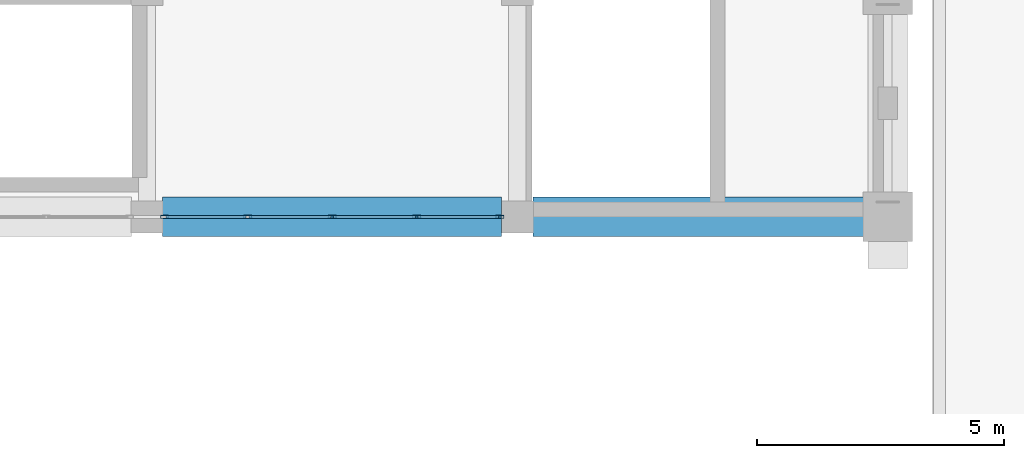
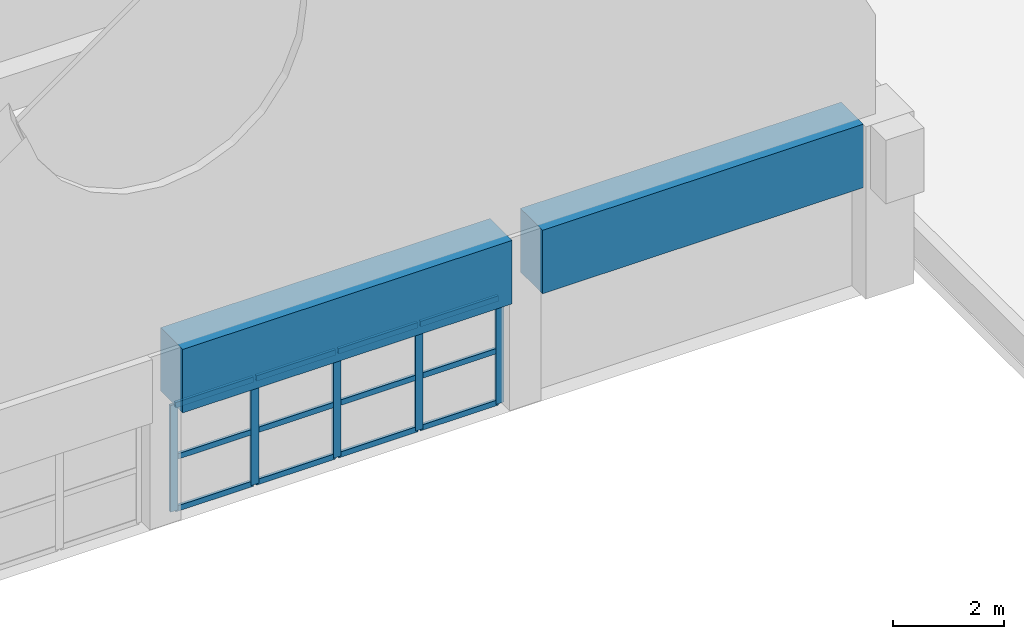
# One storey, part 25 of 74: 17 members, 2 beams, 1 element without a shape of its own.
"""IFC4 building model written with IfcOpenShell, lengths in metres."""

import ifcopenshell
import ifcopenshell.guid

model = None  # the IFC model being written
_history = None  # IfcOwnerHistory: only IFC2X3 demands one
_inside = {}  # id of a spatial element -> (the spatial element, [elements in it])
_under = {}  # id of a project, library or spatial element -> (it, [spatial elements below it])
_declared = {}  # id of a project -> (the project, [libraries it declares])
_typed = {}  # id of a type object -> (the type object, [elements of that type])
_made_of = {}  # id of a material, layer set ... -> (it, [elements and type objects made of it])


def new_model(schema):
    """Start an empty IFC model of exactly this schema.

    Asked for "IFC4X3", IfcOpenShell would pick the latest addendum, in which some entities
    have other attributes; the version numbers below select the first issue.
    IFC2X3 requires an IfcOwnerHistory on every rooted entity: one is made here for all.
    """
    global model, _history
    if schema == "IFC4X3":
        model = ifcopenshell.file(schema_version=(4, 3, 0, 0))
    else:
        model = ifcopenshell.file(schema=schema)
    _inside.clear()
    _under.clear()
    _declared.clear()
    _typed.clear()
    _made_of.clear()
    _history = None
    if model.schema == "IFC2X3":
        org = make("IfcOrganization", Name="unknown")
        user = make(
            "IfcPersonAndOrganization",
            ThePerson=make("IfcPerson", FamilyName="unknown"),
            TheOrganization=org,
        )
        app = make(
            "IfcApplication",
            ApplicationDeveloper=org,
            Version="unknown",
            ApplicationFullName="unknown",
            ApplicationIdentifier="unknown",
        )
        _history = make(
            "IfcOwnerHistory",
            OwningUser=user,
            OwningApplication=app,
            ChangeAction="ADDED",
            CreationDate=0,
        )
    return model


def make(cls, **values):
    """One entity of the class cls with the attributes given. An attribute that is None is left unset."""
    return model.create_entity(
        cls, **{name: value for name, value in values.items() if value is not None}
    )


def rooted(cls, **values):
    """An entity with a GlobalId (a new one), such as an element, a storey or a relation."""
    return make(cls, GlobalId=ifcopenshell.guid.new(), OwnerHistory=_history, **values)


def si_unit(unit_type, name, prefix=None):
    """IfcSIUnit, for example si_unit("LENGTHUNIT", "METRE", prefix="MILLI")."""
    return make("IfcSIUnit", UnitType=unit_type, Prefix=prefix, Name=name)


def assignment(units):
    """IfcUnitAssignment: the units of a project."""
    return None if units is None else make("IfcUnitAssignment", Units=units)


def point(xyz):
    """IfcCartesianPoint."""
    return None if xyz is None else make("IfcCartesianPoint", Coordinates=xyz)


def direction(xyz):
    """IfcDirection."""
    return None if xyz is None else make("IfcDirection", DirectionRatios=xyz)


def frame(location, z_axis=None, x_axis=None):
    """IfcAxis2Placement3D, a coordinate frame: its origin and axes. An axis left out is left unset."""
    return make(
        "IfcAxis2Placement3D",
        Location=point(location),
        Axis=direction(z_axis),
        RefDirection=direction(x_axis),
    )


def frame_2d(location, x_axis=None):
    """IfcAxis2Placement2D, a coordinate frame in the plane: its origin and x axis."""
    return make(
        "IfcAxis2Placement2D", Location=point(location), RefDirection=direction(x_axis)
    )


def origin():
    """The frame at (0, 0, 0) with its axes left unset."""
    return frame((0.0, 0.0, 0.0))


def origin_2d():
    """The frame at (0, 0) in the plane with its x axis left unset."""
    return frame_2d((0.0, 0.0))


def place(relative_to, where):
    """IfcLocalPlacement: puts the frame where relative to a parent placement (None: the world)."""
    return make(
        "IfcLocalPlacement", PlacementRelTo=relative_to, RelativePlacement=where
    )


def context(
    kind, dimensions, precision=None, world=None, true_north=None, identifier=None
):
    """IfcGeometricRepresentationContext, for example the 3D "Model" context."""
    return make(
        "IfcGeometricRepresentationContext",
        ContextIdentifier=identifier,
        ContextType=kind,
        CoordinateSpaceDimension=dimensions,
        Precision=precision,
        WorldCoordinateSystem=world,
        TrueNorth=true_north,
    )


def subcontext(parent, identifier, kind, view, scale=None):
    """IfcGeometricRepresentationSubContext, for example "Body" below "Model"."""
    return make(
        "IfcGeometricRepresentationSubContext",
        ContextIdentifier=identifier,
        ContextType=kind,
        ParentContext=parent,
        TargetScale=scale,
        TargetView=view,
    )


def project(units=None, contexts=None):
    """IfcProject with its units and contexts."""
    return rooted(
        "IfcProject",
        Name="project",
        RepresentationContexts=contexts,
        UnitsInContext=assignment(units),
    )


def spatial(cls, under=None, at=None, **own):
    """A site, building, storey or space (cls), placed at a placement, below another one or the project."""
    s = rooted(cls, ObjectPlacement=at, **own)
    if under is not None:
        _under.setdefault(under.id(), (under, []))[1].append(s)
    return s


def profile(cls, at=None, kind="AREA", **sizes):
    """A parametric profile (cls). Its sizes go by their IFC names, for example OverallWidth=200.0."""
    return make(cls, ProfileType=kind, Position=at, **sizes)


def rectangle(**sizes):
    """IfcRectangleProfileDef."""
    return profile("IfcRectangleProfileDef", **sizes)


def hollow_rectangle(**sizes):
    """IfcRectangleHollowProfileDef."""
    return profile("IfcRectangleHollowProfileDef", **sizes)


def extrude(swept, where, along, depth):
    """IfcExtrudedAreaSolid: the profile swept, set in the frame where, extruded along a direction by depth."""
    return make(
        "IfcExtrudedAreaSolid",
        SweptArea=swept,
        Position=where,
        ExtrudedDirection=direction(along),
        Depth=depth,
    )


def shape(context_of_items, identifier, shape_type, items):
    """IfcShapeRepresentation: the items that make up one representation, for example the "Body"."""
    return make(
        "IfcShapeRepresentation",
        ContextOfItems=context_of_items,
        RepresentationIdentifier=identifier,
        RepresentationType=shape_type,
        Items=items,
    )


def material(Name=None, Category=None):
    """IfcMaterial."""
    return make("IfcMaterial", Name=Name, Category=Category)


def layer(
    of_material, thickness, ventilated=None, Name=None, Category=None, Priority=None
):
    """IfcMaterialLayer: one layer of a wall or slab, of a material (None: an air gap)."""
    return make(
        "IfcMaterialLayer",
        Material=of_material,
        LayerThickness=thickness,
        IsVentilated=ventilated,
        Name=Name,
        Category=Category,
        Priority=Priority,
    )


def layer_set(layers, Name=None):
    """IfcMaterialLayerSet."""
    return make("IfcMaterialLayerSet", MaterialLayers=layers, LayerSetName=Name)


def material_profile(
    of_material, cross_section, Name=None, Category=None, Priority=None
):
    """IfcMaterialProfile: a cross section and its material."""
    return make(
        "IfcMaterialProfile",
        Name=Name,
        Material=of_material,
        Profile=cross_section,
        Priority=Priority,
        Category=Category,
    )


def profile_set(profiles, Name=None, composite=None):
    """IfcMaterialProfileSet."""
    return make(
        "IfcMaterialProfileSet",
        Name=Name,
        MaterialProfiles=profiles,
        CompositeProfile=composite,
    )


def made_of(thing, what):
    """Note that an element or type object is made of a material, layer set ...; save() writes the relation."""
    if what is not None:
        _made_of.setdefault(what.id(), (what, []))[1].append(thing)
    return thing


def type_object(cls, material=None, **own):
    """A type object (cls), such as IfcWallType, which elements share."""
    return made_of(rooted(cls, **own), material)


def element(
    cls,
    number,
    at=None,
    inside=None,
    cuts=None,
    type_object=None,
    material=None,
    context=None,
    identifier="Body",
    shape_type=None,
    held_by="IfcProductDefinitionShape",
    body=None,
    shapes=None,
    **own,
):
    """One element of the class cls, such as IfcWall. Its Tag is "e" and its number.

    at: its placement. inside: the storey or other place that contains it. cuts: it is an
    opening in that element (IfcRelVoidsElement). A single representation is given by context,
    identifier, shape_type and body (its items); several are given by shapes. held_by: the class
    of the entity that holds the representations. save() writes the other relations.
    """
    e = rooted(cls, Tag="e%d" % number, ObjectPlacement=at, **own)
    if body is not None:
        shapes = [shape(context, identifier, shape_type, body)]
    if shapes is not None:
        e.Representation = make(held_by, Representations=shapes)
    if inside is not None:
        _inside.setdefault(inside.id(), (inside, []))[1].append(e)
    if cuts is not None:
        rooted(
            "IfcRelVoidsElement", RelatingBuildingElement=cuts, RelatedOpeningElement=e
        )
    if type_object is not None:
        _typed.setdefault(type_object.id(), (type_object, []))[1].append(e)
    return made_of(e, material)


def aggregate(whole, parts):
    """IfcRelAggregates: a whole, such as a stair, and the parts it consists of."""
    return rooted("IfcRelAggregates", RelatingObject=whole, RelatedObjects=parts)


def save(model, path):
    """Write the relations noted so far, then the file.

    IfcRelAggregates (storeys below a building ...), IfcRelContainedInSpatialStructure (elements
    in a storey), IfcRelDefinesByType, IfcRelAssociatesMaterial and IfcRelDeclares: one each for
    every whole, place, type object, material and project.
    """
    for whole, parts in _under.values():
        aggregate(whole, parts)
    for where, things in _inside.values():
        rooted(
            "IfcRelContainedInSpatialStructure",
            RelatedElements=things,
            RelatingStructure=where,
        )
    for kind, things in _typed.values():
        rooted("IfcRelDefinesByType", RelatedObjects=things, RelatingType=kind)
    for what, things in _made_of.values():
        rooted("IfcRelAssociatesMaterial", RelatedObjects=things, RelatingMaterial=what)
    for by, libraries in _declared.values():
        rooted("IfcRelDeclares", RelatingContext=by, RelatedDefinitions=libraries)
    model.write(path)


model = new_model("IFC4")

# Units and contexts
model_context = context("Model", 3, precision=1e-05, world=origin(), true_north=direction((0.0, 1.0)))
body_context = subcontext(model_context, "Body", "Model", "MODEL_VIEW")
ifc_project = project(units=[si_unit("LENGTHUNIT", "METRE"), si_unit("AREAUNIT", "SQUARE_METRE"), si_unit("VOLUMEUNIT", "CUBIC_METRE"), si_unit("PLANEANGLEUNIT", "RADIAN"), si_unit("MASSUNIT", "GRAM", prefix="KILO")], contexts=[model_context])

# Site, building, storey
site_placement = place(None, origin())
site = spatial("IfcSite", under=ifc_project, at=site_placement, CompositionType="ELEMENT")
building_placement = place(site_placement, origin())
building = spatial("IfcBuilding", under=site, at=building_placement, Name="Muzn Square Opera House", CompositionType="ELEMENT")
storey_placement = place(building_placement, frame((0.0, 0.0, 14.199951171875)))
storey = spatial("IfcBuildingStorey", under=building, at=storey_placement, Name="L03", CompositionType="ELEMENT", Elevation=14.199951171875)

# Curtain wall, members
ifc_material_1 = material(Name="Low-E laminated acoustic double glazing", Category="glass")
ifc_layer = layer(ifc_material_1, 0.159912109375, Name="Low-E laminated acoustic double glazing", Category="glass")
ifc_layer_set = layer_set([ifc_layer], Name="Low-E laminated acoustic double glazing")
curtain_wall_type = type_object("IfcCurtainWallType", Name="Glazed Curtain Wall Forecourt 6850x2350", PredefinedType="USERDEFINED", material=ifc_layer_set)
curtain_wall_placement = place(storey_placement, origin())
curtain_wall = element("IfcCurtainWall", 1, at=curtain_wall_placement, inside=storey, type_object=curtain_wall_type, Name="Glazed Curtain Wall CW-L03-028", ObjectType="GLAZED CURTAIN WALL", PredefinedType="USERDEFINED")
ifc_material_2 = material(Name="Anodised bronze aluminium 6063-T6", Category="metal")
ifc_material_profile_1 = material_profile(ifc_material_2, hollow_rectangle(XDim=0.06005859375, YDim=0.159912109375, WallThickness=0.00390625, at=origin_2d()), Name="ALU 160x60x4", Category="metal")
ifc_profile_set_1 = profile_set([ifc_material_profile_1], Name="Anodised bronze aluminium 6063-T6")
member_type_1 = type_object("IfcMemberType", Name="Curtain Wall Mullion 160x60", PredefinedType="MULLION", material=ifc_profile_set_1)
member_1_placement = place(storey_placement, frame((118.35498046875, 22.0, 0.0), z_axis=(0.0, 0.0, 1.0), x_axis=(0.0, 1.0, 0.0)))
member_1 = element("IfcMember", 2, at=member_1_placement, type_object=member_type_1, Name="CW-FC-68x23 mullion 1", PredefinedType="MULLION", context=body_context, shape_type="SweptSolid", body=[
    extrude(hollow_rectangle(XDim=0.06005859375, YDim=0.159912109375, WallThickness=0.00390625, at=origin_2d()), origin(), (0.0, 0.0, 1.0), 2.35009765625),
])
member_2_placement = place(storey_placement, frame((120.03759765625, 22.0, 0.0), z_axis=(0.0, 0.0, 1.0), x_axis=(0.0, 1.0, 0.0)))
member_2 = element("IfcMember", 3, at=member_2_placement, type_object=member_type_1, Name="CW-FC-68x23 mullion 2", PredefinedType="MULLION", context=body_context, shape_type="SweptSolid", body=[
    extrude(hollow_rectangle(XDim=0.06005859375, YDim=0.159912109375, WallThickness=0.00390625, at=origin_2d()), origin(), (0.0, 0.0, 1.0), 2.35009765625),
])
member_3_placement = place(storey_placement, frame((121.75, 22.0, 0.0), z_axis=(0.0, 0.0, 1.0), x_axis=(0.0, 1.0, 0.0)))
member_3 = element("IfcMember", 4, at=member_3_placement, type_object=member_type_1, Name="CW-FC-68x23 mullion 3", PredefinedType="MULLION", context=body_context, shape_type="SweptSolid", body=[
    extrude(hollow_rectangle(XDim=0.06005859375, YDim=0.159912109375, WallThickness=0.00390625, at=origin_2d()), origin(), (0.0, 0.0, 1.0), 2.35009765625),
])
member_4_placement = place(storey_placement, frame((123.46240234375, 22.0, 0.0), z_axis=(0.0, 0.0, 1.0), x_axis=(0.0, 1.0, 0.0)))
member_4 = element("IfcMember", 5, at=member_4_placement, type_object=member_type_1, Name="CW-FC-68x23 mullion 4", PredefinedType="MULLION", context=body_context, shape_type="SweptSolid", body=[
    extrude(hollow_rectangle(XDim=0.06005859375, YDim=0.159912109375, WallThickness=0.00390625, at=origin_2d()), origin(), (0.0, 0.0, 1.0), 2.35009765625),
])
member_5_placement = place(storey_placement, frame((125.14501953125, 22.0, 0.0), z_axis=(0.0, 0.0, 1.0), x_axis=(0.0, 1.0, 0.0)))
member_5 = element("IfcMember", 6, at=member_5_placement, type_object=member_type_1, Name="CW-FC-68x23 mullion 5", PredefinedType="MULLION", context=body_context, shape_type="SweptSolid", body=[
    extrude(hollow_rectangle(XDim=0.06005859375, YDim=0.159912109375, WallThickness=0.00390625, at=origin_2d()), origin(), (0.0, 0.0, 1.0), 2.35009765625),
])
ifc_material_profile_2 = material_profile(ifc_material_2, hollow_rectangle(XDim=0.06005859375, YDim=0.1201171875, WallThickness=0.00390625, at=origin_2d()), Name="ALU 120x60x4", Category="metal")
ifc_profile_set_2 = profile_set([ifc_material_profile_2], Name="Anodised bronze aluminium 6063-T6")
member_type_2 = type_object("IfcMemberType", Name="Curtain Wall Transom 120x60", PredefinedType="USERDEFINED", material=ifc_profile_set_2)
member_6_placement = place(storey_placement, frame((118.385009765625, 22.0, 0.030029296875), z_axis=(1.0, 0.0, 0.0), x_axis=(0.0, 1.0, 0.0)))
member_6 = element("IfcMember", 7, at=member_6_placement, type_object=member_type_2, Name="CW-FC-68x23 transom 1.1", ObjectType="TRANSOM", PredefinedType="USERDEFINED", context=body_context, shape_type="SweptSolid", body=[
    extrude(hollow_rectangle(XDim=0.06005859375, YDim=0.1201171875, WallThickness=0.00390625, at=origin_2d()), origin(), (0.0, 0.0, 1.0), 1.62255859375),
])
member_7_placement = place(storey_placement, frame((118.385009765625, 22.0, 1.175048828125), z_axis=(1.0, 0.0, 0.0), x_axis=(0.0, 1.0, 0.0)))
member_7 = element("IfcMember", 8, at=member_7_placement, type_object=member_type_2, Name="CW-FC-68x23 transom 1.2", ObjectType="TRANSOM", PredefinedType="USERDEFINED", context=body_context, shape_type="SweptSolid", body=[
    extrude(hollow_rectangle(XDim=0.06005859375, YDim=0.1201171875, WallThickness=0.00390625, at=origin_2d()), origin(), (0.0, 0.0, 1.0), 1.62255859375),
])
member_8_placement = place(storey_placement, frame((118.385009765625, 22.0, 2.320068359375), z_axis=(1.0, 0.0, 0.0), x_axis=(0.0, 1.0, 0.0)))
member_8 = element("IfcMember", 9, at=member_8_placement, type_object=member_type_2, Name="CW-FC-68x23 transom 1.3", ObjectType="TRANSOM", PredefinedType="USERDEFINED", context=body_context, shape_type="SweptSolid", body=[
    extrude(hollow_rectangle(XDim=0.06005859375, YDim=0.1201171875, WallThickness=0.00390625, at=origin_2d()), origin(), (0.0, 0.0, 1.0), 1.62255859375),
])
member_9_placement = place(storey_placement, frame((120.0673828125, 22.0, 0.030029296875), z_axis=(1.0, 0.0, 0.0), x_axis=(0.0, 1.0, 0.0)))
member_9 = element("IfcMember", 10, at=member_9_placement, type_object=member_type_2, Name="CW-FC-68x23 transom 2.1", ObjectType="TRANSOM", PredefinedType="USERDEFINED", context=body_context, shape_type="SweptSolid", body=[
    extrude(hollow_rectangle(XDim=0.06005859375, YDim=0.1201171875, WallThickness=0.00390625, at=origin_2d()), origin(), (0.0, 0.0, 1.0), 1.652587890625),
])
member_10_placement = place(storey_placement, frame((120.0673828125, 22.0, 1.175048828125), z_axis=(1.0, 0.0, 0.0), x_axis=(0.0, 1.0, 0.0)))
member_10 = element("IfcMember", 11, at=member_10_placement, type_object=member_type_2, Name="CW-FC-68x23 transom 2.2", ObjectType="TRANSOM", PredefinedType="USERDEFINED", context=body_context, shape_type="SweptSolid", body=[
    extrude(hollow_rectangle(XDim=0.06005859375, YDim=0.1201171875, WallThickness=0.00390625, at=origin_2d()), origin(), (0.0, 0.0, 1.0), 1.652587890625),
])
member_11_placement = place(storey_placement, frame((120.0673828125, 22.0, 2.320068359375), z_axis=(1.0, 0.0, 0.0), x_axis=(0.0, 1.0, 0.0)))
member_11 = element("IfcMember", 12, at=member_11_placement, type_object=member_type_2, Name="CW-FC-68x23 transom 2.3", ObjectType="TRANSOM", PredefinedType="USERDEFINED", context=body_context, shape_type="SweptSolid", body=[
    extrude(hollow_rectangle(XDim=0.06005859375, YDim=0.1201171875, WallThickness=0.00390625, at=origin_2d()), origin(), (0.0, 0.0, 1.0), 1.652587890625),
])
member_12_placement = place(storey_placement, frame((121.780029296875, 22.0, 0.030029296875), z_axis=(1.0, 0.0, 0.0), x_axis=(0.0, 1.0, 0.0)))
member_12 = element("IfcMember", 13, at=member_12_placement, type_object=member_type_2, Name="CW-FC-68x23 transom 3.1", ObjectType="TRANSOM", PredefinedType="USERDEFINED", context=body_context, shape_type="SweptSolid", body=[
    extrude(hollow_rectangle(XDim=0.06005859375, YDim=0.1201171875, WallThickness=0.00390625, at=origin_2d()), origin(), (0.0, 0.0, 1.0), 1.652587890625),
])
member_13_placement = place(storey_placement, frame((121.780029296875, 22.0, 1.175048828125), z_axis=(1.0, 0.0, 0.0), x_axis=(0.0, 1.0, 0.0)))
member_13 = element("IfcMember", 14, at=member_13_placement, type_object=member_type_2, Name="CW-FC-68x23 transom 3.2", ObjectType="TRANSOM", PredefinedType="USERDEFINED", context=body_context, shape_type="SweptSolid", body=[
    extrude(hollow_rectangle(XDim=0.06005859375, YDim=0.1201171875, WallThickness=0.00390625, at=origin_2d()), origin(), (0.0, 0.0, 1.0), 1.652587890625),
])
member_14_placement = place(storey_placement, frame((121.780029296875, 22.0, 2.320068359375), z_axis=(1.0, 0.0, 0.0), x_axis=(0.0, 1.0, 0.0)))
member_14 = element("IfcMember", 15, at=member_14_placement, type_object=member_type_2, Name="CW-FC-68x23 transom 3.3", ObjectType="TRANSOM", PredefinedType="USERDEFINED", context=body_context, shape_type="SweptSolid", body=[
    extrude(hollow_rectangle(XDim=0.06005859375, YDim=0.1201171875, WallThickness=0.00390625, at=origin_2d()), origin(), (0.0, 0.0, 1.0), 1.652587890625),
])
member_15_placement = place(storey_placement, frame((123.492431640625, 22.0, 0.030029296875), z_axis=(1.0, 0.0, 0.0), x_axis=(0.0, 1.0, 0.0)))
member_15 = element("IfcMember", 16, at=member_15_placement, type_object=member_type_2, Name="CW-FC-68x23 transom 4.1", ObjectType="TRANSOM", PredefinedType="USERDEFINED", context=body_context, shape_type="SweptSolid", body=[
    extrude(hollow_rectangle(XDim=0.06005859375, YDim=0.1201171875, WallThickness=0.00390625, at=origin_2d()), origin(), (0.0, 0.0, 1.0), 1.62255859375),
])
member_16_placement = place(storey_placement, frame((123.492431640625, 22.0, 1.175048828125), z_axis=(1.0, 0.0, 0.0), x_axis=(0.0, 1.0, 0.0)))
member_16 = element("IfcMember", 17, at=member_16_placement, type_object=member_type_2, Name="CW-FC-68x23 transom 4.2", ObjectType="TRANSOM", PredefinedType="USERDEFINED", context=body_context, shape_type="SweptSolid", body=[
    extrude(hollow_rectangle(XDim=0.06005859375, YDim=0.1201171875, WallThickness=0.00390625, at=origin_2d()), origin(), (0.0, 0.0, 1.0), 1.62255859375),
])
member_17_placement = place(storey_placement, frame((123.492431640625, 22.0, 2.320068359375), z_axis=(1.0, 0.0, 0.0), x_axis=(0.0, 1.0, 0.0)))
member_17 = element("IfcMember", 18, at=member_17_placement, type_object=member_type_2, Name="CW-FC-68x23 transom 4.3", ObjectType="TRANSOM", PredefinedType="USERDEFINED", context=body_context, shape_type="SweptSolid", body=[
    extrude(hollow_rectangle(XDim=0.06005859375, YDim=0.1201171875, WallThickness=0.00390625, at=origin_2d()), origin(), (0.0, 0.0, 1.0), 1.62255859375),
])
aggregate(curtain_wall, [member_1, member_2, member_3, member_4, member_5, member_6, member_7, member_8, member_9, member_10, member_11, member_12, member_13, member_14, member_15, member_16, member_17])

# Beams
ifc_material_3 = material(Name="Concrete C45/55", Category="concrete")
ifc_material_profile_3 = material_profile(ifc_material_3, rectangle(XDim=0.800048828125, YDim=1.39990234375, at=origin_2d()), Name="RCB 800x1400", Category="concrete")
ifc_profile_set_3 = profile_set([ifc_material_profile_3], Name="Concrete C45/55")
beam_type = type_object("IfcBeamType", Name="Vault Springing Girder 800x1400", PredefinedType="BEAM", material=ifc_profile_set_3)
beam_1_placement = place(storey_placement, frame((118.31689453125, 22.0, 3.10009765625), z_axis=(1.0, 0.0, 0.0), x_axis=(0.0, 1.0, 0.0)))
element("IfcBeam", 19, at=beam_1_placement, inside=storey, type_object=beam_type, Name="Gable Support Girder BM-L03-BM-VS1400-1183_220_1252_220-2417", PredefinedType="BEAM", context=body_context, shape_type="SweptSolid", body=[
    extrude(rectangle(XDim=0.800048828125, YDim=1.39990234375, at=origin_2d()), origin(), (0.0, 0.0, 1.0), 6.8662109375),
])
beam_2_placement = place(storey_placement, frame((125.81689453125, 22.0, 3.10009765625), z_axis=(1.0, 0.0, 0.0), x_axis=(0.0, 1.0, 0.0)))
element("IfcBeam", 20, at=beam_2_placement, inside=storey, type_object=beam_type, Name="Gable Support Girder BM-L03-BM-VS1400-1258_220_1325_220-2418", PredefinedType="BEAM", context=body_context, shape_type="SweptSolid", body=[
    extrude(rectangle(XDim=0.800048828125, YDim=1.39990234375, at=origin_2d()), origin(), (0.0, 0.0, 1.0), 6.691162109375),
])

save(model, "model.ifc")
